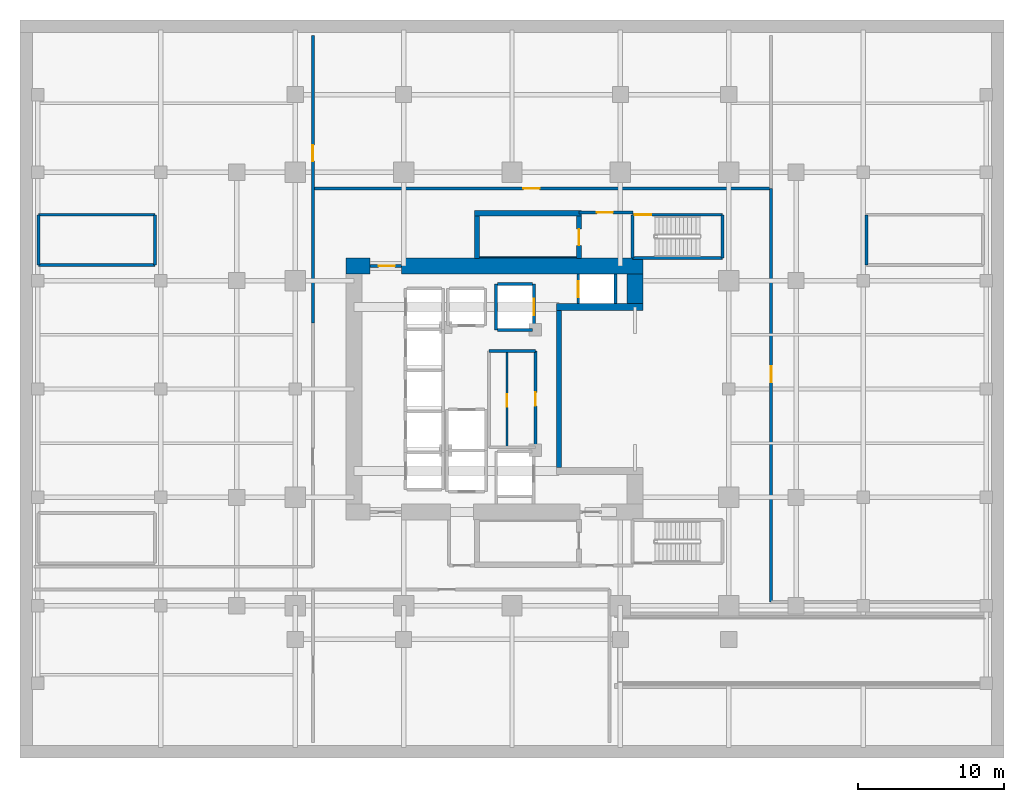
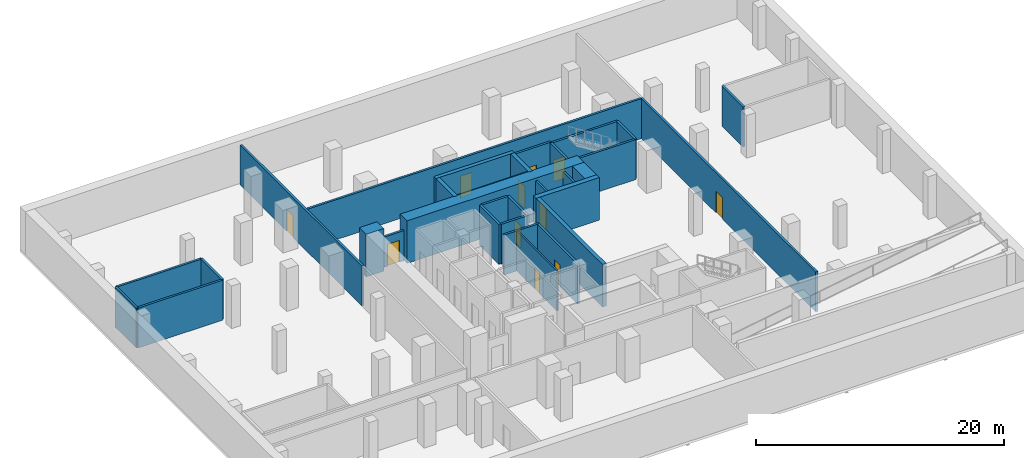
# One storey, part 5 of 7: 32 walls, 11 doors, 11 openings.
"""IFC4 building model written with IfcOpenShell, lengths in metres."""

from ifc_helpers import new_model, si_unit, direction, frame, frame_2d, origin, place, context, subcontext, project, spatial, rectangle, extrude, material, layer, layer_set, type_object, element, fill, save


model = new_model("IFC4")

# Units and contexts
model_context = context("Model", 3, precision=1e-05, world=origin(), true_north=direction((0.0, 1.0)))
body_context = subcontext(model_context, "Body", "Model", "MODEL_VIEW")
ifc_project = project(units=[si_unit("LENGTHUNIT", "METRE"), si_unit("AREAUNIT", "SQUARE_METRE"), si_unit("VOLUMEUNIT", "CUBIC_METRE"), si_unit("PLANEANGLEUNIT", "RADIAN"), si_unit("MASSUNIT", "GRAM", prefix="KILO")], contexts=[model_context])

# Site, building, storey
site_placement = place(None, origin())
site = spatial("IfcSite", under=ifc_project, at=site_placement, CompositionType="ELEMENT")
building_placement = place(site_placement, origin())
building = spatial("IfcBuilding", under=site, at=building_placement, Name="Khorvyn Point Tower", CompositionType="ELEMENT")
storey_placement = place(building_placement, frame((0.0, 0.0, -8.39990234375)))
storey = spatial("IfcBuildingStorey", under=building, at=storey_placement, Name="B2", CompositionType="ELEMENT", Elevation=-8.39990234375)

# Wall, opening, door
ifc_material_1 = material(Name="Concrete C35/45 masonry blockwork", Category="masonry")
ifc_layer_1 = layer(ifc_material_1, 0.199951171875)
ifc_layer_set_1 = layer_set([ifc_layer_1], Name="Concrete C35/45 Blockwork Plant Compartment Wall 200")
wall_type_1 = type_object("IfcWallType", Name="Concrete C35/45 Blockwork Plant Compartment Wall 200", PredefinedType="SOLIDWALL", material=ifc_layer_set_1)
wall_1_placement = place(storey_placement, frame((-13.60009765625, 4.5, 0.0), z_axis=(0.0, 0.0, 1.0), x_axis=(0.0, 1.0, 0.0)))
wall_1 = element("IfcWall", 1, at=wall_1_placement, inside=storey, type_object=wall_type_1, Name="Wall", PredefinedType="SOLIDWALL", context=body_context, shape_type="SweptSolid", body=[
    extrude(rectangle(XDim=19.64990234375, YDim=0.199951171875, at=frame_2d((9.824951171875, 0.0))), origin(), (0.0, 0.0, 1.0), 3.93994140625),
])
opening_1_placement = place(wall_1_placement, frame((11.062255859375, 0.0, 0.0)))
opening_1 = element("IfcOpeningElement", 2, at=opening_1_placement, cuts=wall_1, Name="Opening ID-FL90", PredefinedType="OPENING", context=body_context, shape_type="SweptSolid", body=[
    extrude(rectangle(XDim=1.10009765625, YDim=2.14990234375, at=frame_2d((0.550048828125, 1.074951171875))), frame((0.0, 0.10986328125, 0.0), z_axis=(0.0, -1.0, 0.0), x_axis=(1.0, 0.0, 0.0)), (0.0, 0.0, 1.0), 0.219970703125),
])
ifc_material_2 = material(Name="Galvanised powder-coated steel", Category="steel")
door_type_1 = type_object("IfcDoorType", Name="Fire-Rated Steel Lobby and Stair Door 1100x2150", OperationType="NOTDEFINED", PredefinedType="DOOR", material=ifc_material_2)
door_1_placement = place(opening_1_placement, origin())
door_1 = element("IfcDoor", 3, at=door_1_placement, inside=storey, type_object=door_type_1, Name="Door", OperationType="SINGLE_SWING_LEFT", OverallHeight=2.14990234375, OverallWidth=1.10009765625, PredefinedType="DOOR", context=body_context, shape_type="SweptSolid", body=[
    extrude(rectangle(XDim=1.10009765625, YDim=2.14990234375, at=frame_2d((0.550048828125, 1.074951171875))), frame((0.0, 0.02490234375, 0.0), z_axis=(0.0, -1.0, 0.0), x_axis=(1.0, 0.0, 0.0)), (0.0, 0.0, 1.0), 0.050048828125),
])
fill(opening_1, door_1)

wall_2_placement = place(storey_placement, frame((-13.60009765625, 13.699951171875, 0.0), z_axis=(0.0, 0.0, 1.0), x_axis=(1.0, 0.0, 0.0)))
wall_2 = element("IfcWall", 4, at=wall_2_placement, inside=storey, type_object=wall_type_1, Name="Wall", PredefinedType="SOLIDWALL", context=body_context, shape_type="SweptSolid", body=[
    extrude(rectangle(XDim=31.300048828125, YDim=0.199951171875, at=frame_2d((15.64990234375, 0.0))), origin(), (0.0, 0.0, 1.0), 3.93994140625),
])
opening_2_placement = place(wall_2_placement, frame((14.3798828125, 0.0, 0.0)))
opening_2 = element("IfcOpeningElement", 5, at=opening_2_placement, cuts=wall_2, Name="Opening ID-FL90", PredefinedType="OPENING", context=body_context, shape_type="SweptSolid", body=[
    extrude(rectangle(XDim=1.10009765625, YDim=2.14990234375, at=frame_2d((0.550048828125, 1.074951171875))), frame((0.0, 0.10986328125, 0.0), z_axis=(0.0, -1.0, 0.0), x_axis=(1.0, 0.0, 0.0)), (0.0, 0.0, 1.0), 0.219970703125),
])
door_2_placement = place(opening_2_placement, origin())
door_2 = element("IfcDoor", 6, at=door_2_placement, inside=storey, type_object=door_type_1, Name="Door", OperationType="SINGLE_SWING_RIGHT", OverallHeight=2.14990234375, OverallWidth=1.10009765625, PredefinedType="DOOR", context=body_context, shape_type="SweptSolid", body=[
    extrude(rectangle(XDim=1.10009765625, YDim=2.14990234375, at=frame_2d((0.550048828125, 1.074951171875))), frame((0.0, 0.02490234375, 0.0), z_axis=(0.0, -1.0, 0.0), x_axis=(1.0, 0.0, 0.0)), (0.0, 0.0, 1.0), 0.050048828125),
])
fill(opening_2, door_2)

wall_3_placement = place(storey_placement, frame((17.699951171875, -14.550048828125, 0.0), z_axis=(0.0, 0.0, 1.0), x_axis=(0.0, 1.0, 0.0)))
wall_3 = element("IfcWall", 7, at=wall_3_placement, inside=storey, type_object=wall_type_1, Name="Wall", PredefinedType="SOLIDWALL", context=body_context, shape_type="SweptSolid", body=[
    extrude(rectangle(XDim=28.25, YDim=0.199951171875, at=frame_2d((14.125, 0.0))), origin(), (0.0, 0.0, 1.0), 3.93994140625),
])
opening_3_placement = place(wall_3_placement, frame((15.005859375, 0.0, 0.0)))
opening_3 = element("IfcOpeningElement", 8, at=opening_3_placement, cuts=wall_3, Name="Opening ID-FL90", PredefinedType="OPENING", context=body_context, shape_type="SweptSolid", body=[
    extrude(rectangle(XDim=1.10009765625, YDim=2.14990234375, at=frame_2d((0.550048828125, 1.074951171875))), frame((0.0, 0.10986328125, 0.0), z_axis=(0.0, -1.0, 0.0), x_axis=(1.0, 0.0, 0.0)), (0.0, 0.0, 1.0), 0.219970703125),
])
door_3_placement = place(opening_3_placement, origin())
door_3 = element("IfcDoor", 9, at=door_3_placement, inside=storey, type_object=door_type_1, Name="Door", OperationType="SINGLE_SWING_LEFT", OverallHeight=2.14990234375, OverallWidth=1.10009765625, PredefinedType="DOOR", context=body_context, shape_type="SweptSolid", body=[
    extrude(rectangle(XDim=1.10009765625, YDim=2.14990234375, at=frame_2d((0.550048828125, 1.074951171875))), frame((0.0, 0.02490234375, 0.0), z_axis=(0.0, -1.0, 0.0), x_axis=(1.0, 0.0, 0.0)), (0.0, 0.0, 1.0), 0.050048828125),
])
fill(opening_3, door_3)

# Wall
ifc_material_3 = material(Name="Concrete C40/50", Category="concrete")
ifc_layer_2 = layer(ifc_material_3, 0.449951171875)
ifc_layer_set_2 = layer_set([ifc_layer_2], Name="Concrete C40/50 Core Shear Wall 450")
wall_type_2 = type_object("IfcWallType", Name="Concrete C40/50 Core Shear Wall 450", PredefinedType="SHEAR", material=ifc_layer_set_2)
wall_4_placement = place(storey_placement, frame((3.044921875, 5.60009765625, 0.0), z_axis=(0.0, 0.0, 1.0), x_axis=(1.0, 0.0, 0.0)))
element("IfcWall", 10, at=wall_4_placement, inside=storey, type_object=wall_type_2, Name="Wall", PredefinedType="SHEAR", context=body_context, shape_type="SweptSolid", body=[
    extrude(rectangle(XDim=5.905029296875, YDim=0.449951171875, at=frame_2d((2.95263671875, 0.0))), origin(), (0.0, 0.0, 1.0), 4.199951171875),
])

# Wall, opening, door
ifc_layer_3 = layer(ifc_material_3, 0.199951171875)
ifc_layer_set_3 = layer_set([ifc_layer_3], Name="Concrete C40/50 Fire-Lobby Compartment Wall 200")
wall_type_3 = type_object("IfcWallType", Name="Concrete C40/50 Fire-Lobby Compartment Wall 200", PredefinedType="SOLIDWALL", material=ifc_layer_set_3)
wall_5_placement = place(storey_placement, frame((4.580078125, 12.06005859375, 0.0), z_axis=(0.0, 0.0, 1.0), x_axis=(1.0, 0.0, 0.0)))
wall_5 = element("IfcWall", 11, at=wall_5_placement, inside=storey, type_object=wall_type_3, Name="Wall", PredefinedType="SOLIDWALL", context=body_context, shape_type="SweptSolid", body=[
    extrude(rectangle(XDim=3.699951171875, YDim=0.199951171875, at=frame_2d((1.85009765625, 0.0))), origin(), (0.0, 0.0, 1.0), 3.93994140625),
])
opening_4_placement = place(wall_5_placement, frame((1.21240234375, 0.0, 0.0)))
opening_4 = element("IfcOpeningElement", 12, at=opening_4_placement, cuts=wall_5, Name="Opening ID-FL90", PredefinedType="OPENING", context=body_context, shape_type="SweptSolid", body=[
    extrude(rectangle(XDim=1.10009765625, YDim=2.14990234375, at=frame_2d((0.550048828125, 1.074951171875))), frame((0.0, 0.10986328125, 0.0), z_axis=(0.0, -1.0, 0.0), x_axis=(1.0, 0.0, 0.0)), (0.0, 0.0, 1.0), 0.219970703125),
])
door_4_placement = place(opening_4_placement, origin())
door_4 = element("IfcDoor", 13, at=door_4_placement, inside=storey, type_object=door_type_1, Name="Door", OperationType="SINGLE_SWING_RIGHT", OverallHeight=2.14990234375, OverallWidth=1.10009765625, PredefinedType="DOOR", context=body_context, shape_type="SweptSolid", body=[
    extrude(rectangle(XDim=1.10009765625, YDim=2.14990234375, at=frame_2d((0.550048828125, 1.074951171875))), frame((0.0, 0.02490234375, 0.0), z_axis=(0.0, -1.0, 0.0), x_axis=(1.0, 0.0, 0.0)), (0.0, 0.0, 1.0), 0.050048828125),
])
fill(opening_4, door_4)

wall_6_placement = place(storey_placement, frame((-9.699951171875, 8.39990234375, 0.0), z_axis=(0.0, 0.0, 1.0), x_axis=(1.0, 0.0, 0.0)))
wall_6 = element("IfcWall", 14, at=wall_6_placement, inside=storey, type_object=wall_type_3, Name="Wall", PredefinedType="SOLIDWALL", context=body_context, shape_type="SweptSolid", body=[
    extrude(rectangle(XDim=2.14990234375, YDim=0.199951171875, at=frame_2d((1.074951171875, 0.0))), origin(), (0.0, 0.0, 1.0), 2.97998046875),
])
opening_5_placement = place(wall_6_placement, frame((0.597900390625, 0.0, 0.0)))
opening_5 = element("IfcOpeningElement", 15, at=opening_5_placement, cuts=wall_6, Name="Opening ID-FL90", PredefinedType="OPENING", context=body_context, shape_type="SweptSolid", body=[
    extrude(rectangle(XDim=1.10009765625, YDim=2.14990234375, at=frame_2d((0.550048828125, 1.074951171875))), frame((0.0, 0.10986328125, 0.0), z_axis=(0.0, -1.0, 0.0), x_axis=(1.0, 0.0, 0.0)), (0.0, 0.0, 1.0), 0.219970703125),
])
door_5_placement = place(opening_5_placement, origin())
door_5 = element("IfcDoor", 16, at=door_5_placement, inside=storey, type_object=door_type_1, Name="Door", OperationType="SINGLE_SWING_RIGHT", OverallHeight=2.14990234375, OverallWidth=1.10009765625, PredefinedType="DOOR", context=body_context, shape_type="SweptSolid", body=[
    extrude(rectangle(XDim=1.10009765625, YDim=2.14990234375, at=frame_2d((0.550048828125, 1.074951171875))), frame((0.0, 0.02490234375, 0.0), z_axis=(0.0, -1.0, 0.0), x_axis=(1.0, 0.0, 0.0)), (0.0, 0.0, 1.0), 0.050048828125),
])
fill(opening_5, door_5)

wall_7_placement = place(storey_placement, frame((1.610107421875, -3.97998046875, 0.0), z_axis=(0.0, 0.0, 1.0), x_axis=(0.0, 1.0, 0.0)))
wall_7 = element("IfcWall", 17, at=wall_7_placement, inside=storey, type_object=wall_type_3, Name="Wall", PredefinedType="SOLIDWALL", context=body_context, shape_type="SweptSolid", body=[
    extrude(rectangle(XDim=6.580078125, YDim=0.199951171875, at=frame_2d((3.2900390625, 0.0))), origin(), (0.0, 0.0, 1.0), 3.93994140625),
])
opening_6_placement = place(wall_7_placement, frame((2.830078125, 0.0, 0.0)))
opening_6 = element("IfcOpeningElement", 18, at=opening_6_placement, cuts=wall_7, Name="Opening ID-RS60", PredefinedType="OPENING", context=body_context, shape_type="SweptSolid", body=[
    extrude(rectangle(XDim=0.919921875, YDim=2.10009765625, at=frame_2d((0.4599609375, 1.050048828125))), frame((0.0, 0.10986328125, 0.0), z_axis=(0.0, -1.0, 0.0), x_axis=(1.0, 0.0, 0.0)), (0.0, 0.0, 1.0), 0.219970703125),
])
door_type_2 = type_object("IfcDoorType", Name="Fire-Rated Riser and Store Steel Door 920x2100", OperationType="NOTDEFINED", PredefinedType="DOOR", material=ifc_material_2)
door_6_placement = place(opening_6_placement, origin())
door_6 = element("IfcDoor", 19, at=door_6_placement, inside=storey, type_object=door_type_2, Name="Door", OperationType="SINGLE_SWING_LEFT", OverallHeight=2.10009765625, OverallWidth=0.919921875, PredefinedType="DOOR", context=body_context, shape_type="SweptSolid", body=[
    extrude(rectangle(XDim=0.919921875, YDim=2.10009765625, at=frame_2d((0.4599609375, 1.050048828125))), frame((0.0, 0.02490234375, 0.0), z_axis=(0.0, -1.0, 0.0), x_axis=(1.0, 0.0, 0.0)), (0.0, 0.0, 1.0), 0.050048828125),
])
fill(opening_6, door_6)

# Walls
wall_8_placement = place(storey_placement, frame((-1.580078125, 2.60009765625, 0.0), z_axis=(0.0, 0.0, 1.0), x_axis=(1.0, 0.0, 0.0)))
element("IfcWall", 20, at=wall_8_placement, inside=storey, type_object=wall_type_3, Name="Wall", PredefinedType="SOLIDWALL", context=body_context, shape_type="SweptSolid", body=[
    extrude(rectangle(XDim=3.190185546875, YDim=0.199951171875, at=frame_2d((1.59521484375, 0.0))), origin(), (0.0, 0.0, 1.0), 3.93994140625),
])
ifc_layer_4 = layer(ifc_material_3, 0.25)
ifc_layer_set_4 = layer_set([ifc_layer_4], Name="Concrete C40/50 Stair Inner Cheek Structural Wall 250")
wall_type_4 = type_object("IfcWallType", Name="Concrete C40/50 Stair Inner Cheek Structural Wall 250", PredefinedType="SHEAR", material=ifc_layer_set_4)
wall_9_placement = place(storey_placement, frame((-2.199951171875, 8.987548828125, 0.0), z_axis=(0.0, 0.0, 1.0), x_axis=(1.0, 0.0, 0.0)))
element("IfcWall", 21, at=wall_9_placement, inside=storey, type_object=wall_type_4, Name="Wall", PredefinedType="SHEAR", context=body_context, shape_type="SweptSolid", body=[
    extrude(rectangle(XDim=6.599853515625, YDim=0.074951171875, at=frame_2d((3.2998046875, 0.0))), origin(), (0.0, 0.0, 1.0), 4.199951171875),
])
ifc_layer_5 = layer(ifc_material_3, 0.35009765625)
ifc_layer_set_5 = layer_set([ifc_layer_5], Name="Concrete C40/50 Stair Shaft Structural Wall 350")
wall_type_5 = type_object("IfcWallType", Name="Concrete C40/50 Stair Shaft Structural Wall 350", PredefinedType="SHEAR", material=ifc_layer_set_5)
wall_10_placement = place(storey_placement, frame((3.219970703125, -5.375, 0.0), z_axis=(0.0, 0.0, 1.0), x_axis=(0.0, 1.0, 0.0)))
element("IfcWall", 22, at=wall_10_placement, inside=storey, type_object=wall_type_5, Name="Wall", PredefinedType="SHEAR", context=body_context, shape_type="SweptSolid", body=[
    extrude(rectangle(XDim=10.75, YDim=0.35009765625, at=frame_2d((5.375, 0.0))), origin(), (0.0, 0.0, 1.0), 4.199951171875),
])
wall_11_placement = place(storey_placement, frame((-2.554931640625, 12.0, 0.0), z_axis=(0.0, 0.0, 1.0), x_axis=(1.0, 0.0, 0.0)))
element("IfcWall", 23, at=wall_11_placement, inside=storey, type_object=wall_type_5, Name="B2 ST-02 North Shaft Wall", PredefinedType="SHEAR", context=body_context, shape_type="SweptSolid", body=[
    extrude(rectangle(XDim=7.309814453125, YDim=0.35009765625, at=frame_2d((3.65478515625, 0.0))), origin(), (0.0, 0.0, 1.0), 4.199951171875),
])
wall_12_placement = place(storey_placement, frame((-2.3798828125, 8.89990234375, 0.0), z_axis=(0.0, 0.0, 1.0), x_axis=(0.0, 1.0, 0.0)))
element("IfcWall", 24, at=wall_12_placement, inside=storey, type_object=wall_type_5, Name="B2 ST-02 West Shaft Wall", PredefinedType="SHEAR", context=body_context, shape_type="SweptSolid", body=[
    extrude(rectangle(XDim=2.925048828125, YDim=0.35009765625, at=frame_2d((1.46240234375, 0.0))), origin(), (0.0, 0.0, 1.0), 4.199951171875),
])

# Wall, opening, door
wall_13_placement = place(storey_placement, frame((4.580078125, 11.824951171875, 0.0), z_axis=(0.0, 0.0, 1.0), x_axis=(0.0, -1.0, 0.0)))
wall_13 = element("IfcWall", 25, at=wall_13_placement, inside=storey, type_object=wall_type_5, Name="B2 ST-02 East Landing Door Wall", PredefinedType="SHEAR", context=body_context, shape_type="SweptSolid", body=[
    extrude(rectangle(XDim=2.925048828125, YDim=0.35009765625, at=frame_2d((1.46240234375, 0.0))), origin(), (0.0, 0.0, 1.0), 4.199951171875),
])
opening_7_placement = place(wall_13_placement, frame((0.91259765625, 0.0, 0.0)))
opening_7 = element("IfcOpeningElement", 26, at=opening_7_placement, cuts=wall_13, Name="Opening ID-FL90", PredefinedType="OPENING", context=body_context, shape_type="SweptSolid", body=[
    extrude(rectangle(XDim=1.10009765625, YDim=2.14990234375, at=frame_2d((0.550048828125, 1.074951171875))), frame((0.0, 0.18505859375, 0.0), z_axis=(0.0, -1.0, 0.0), x_axis=(1.0, 0.0, 0.0)), (0.0, 0.0, 1.0), 0.3701171875),
])
door_7_placement = place(opening_7_placement, origin())
door_7 = element("IfcDoor", 27, at=door_7_placement, inside=storey, type_object=door_type_1, Name="B2 ST-02 Smokeproof Landing Door", OperationType="SINGLE_SWING_RIGHT", OverallHeight=2.14990234375, OverallWidth=1.10009765625, PredefinedType="DOOR", context=body_context, shape_type="SweptSolid", body=[
    extrude(rectangle(XDim=1.10009765625, YDim=2.14990234375, at=frame_2d((0.550048828125, 1.074951171875))), frame((0.0, 0.02490234375, 0.0), z_axis=(0.0, -1.0, 0.0), x_axis=(1.0, 0.0, 0.0)), (0.0, 0.0, 1.0), 0.050048828125),
])
fill(opening_7, door_7)

# Wall
ifc_layer_6 = layer(ifc_material_3, 0.199951171875)
ifc_layer_set_6 = layer_set([ifc_layer_6], Name="Concrete C40/50 Structural Hoistway and Stair Shaft Wall 200")
wall_type_6 = type_object("IfcWallType", Name="Concrete C40/50 Structural Hoistway and Stair Shaft Wall 200", PredefinedType="SHEAR", material=ifc_layer_set_6)
wall_14_placement = place(storey_placement, frame((-1.10009765625, 4.02490234375, 0.0), z_axis=(0.0, 0.0, 1.0), x_axis=(0.0, 1.0, 0.0)))
element("IfcWall", 28, at=wall_14_placement, inside=storey, type_object=wall_type_6, Name="Wall", PredefinedType="SHEAR", context=body_context, shape_type="SweptSolid", body=[
    extrude(rectangle(XDim=3.150146484375, YDim=0.199951171875, at=frame_2d((1.5751953125, 0.0))), origin(), (0.0, 0.0, 1.0), 3.93994140625),
])

# Wall, opening, door
wall_15_placement = place(storey_placement, frame((1.5, 4.02490234375, 0.0), z_axis=(0.0, 0.0, 1.0), x_axis=(0.0, 1.0, 0.0)))
wall_15 = element("IfcWall", 29, at=wall_15_placement, inside=storey, type_object=wall_type_6, Name="Wall", PredefinedType="SHEAR", context=body_context, shape_type="SweptSolid", body=[
    extrude(rectangle(XDim=3.150146484375, YDim=0.199951171875, at=frame_2d((1.5751953125, 0.0))), origin(), (0.0, 0.0, 1.0), 3.93994140625),
])
opening_8_placement = place(wall_15_placement, frame((1.02490234375, 0.0, 0.0)))
opening_8 = element("IfcOpeningElement", 30, at=opening_8_placement, cuts=wall_15, Name="Opening LD-1122", PredefinedType="OPENING", context=body_context, shape_type="SweptSolid", body=[
    extrude(rectangle(XDim=1.10009765625, YDim=2.199951171875, at=frame_2d((0.550048828125, 1.10009765625))), frame((0.0, 0.10986328125, 0.0), z_axis=(0.0, -1.0, 0.0), x_axis=(1.0, 0.0, 0.0)), (0.0, 0.0, 1.0), 0.219970703125),
])
ifc_material_4 = material(Name="Stainless steel 1.4301", Category="steel")
door_type_3 = type_object("IfcDoorType", Name="Stainless Steel Automatic Sliding Lift Landing Door 1100x2200", OperationType="SLIDING_TO_LEFT", PredefinedType="DOOR", material=ifc_material_4)
door_8_placement = place(opening_8_placement, origin())
door_8 = element("IfcDoor", 31, at=door_8_placement, inside=storey, type_object=door_type_3, Name="B2 SV-01 Sliding Lift Landing Door", OperationType="SLIDING_TO_LEFT", OverallHeight=2.199951171875, OverallWidth=1.10009765625, PredefinedType="DOOR", context=body_context, shape_type="SweptSolid", body=[
    extrude(rectangle(XDim=1.10009765625, YDim=2.199951171875, at=frame_2d((0.550048828125, 1.10009765625))), frame((0.0, 0.02490234375, 0.0), z_axis=(0.0, -1.0, 0.0), x_axis=(1.0, 0.0, 0.0)), (0.0, 0.0, 1.0), 0.050048828125),
])
fill(opening_8, door_8)

# Walls
for number, where, z_axis, x_axis, name in (
    (32, (-1.0, 4.02490234375, 0.0), (0.0, 0.0, 1.0), (1.0, 0.0, 0.0), "Wall"),
    (33, (-1.0, 7.175048828125, 0.0), (0.0, 0.0, 1.0), (1.0, 0.0, 0.0), "Wall"),
):
    element("IfcWall", number, at=place(storey_placement, frame(where, z_axis=z_axis, x_axis=x_axis)), inside=storey, type_object=wall_type_6, Name=name, PredefinedType="SHEAR", context=body_context, shape_type="SweptSolid", body=[
        extrude(rectangle(XDim=2.39990234375, YDim=0.199951171875, at=frame_2d((1.199951171875, 0.0))), origin(), (0.0, 0.0, 1.0), 3.93994140625),
    ])

# Wall, opening, door
wall_16_placement = place(storey_placement, frame((4.52490234375, 5.824951171875, 0.0), z_axis=(0.0, 0.0, 1.0), x_axis=(0.0, 1.0, 0.0)))
wall_16 = element("IfcWall", 34, at=wall_16_placement, inside=storey, type_object=wall_type_6, Name="Wall", PredefinedType="SHEAR", context=body_context, shape_type="SweptSolid", body=[
    extrude(rectangle(XDim=2.025146484375, YDim=0.199951171875, at=frame_2d((1.0126953125, 0.0))), origin(), (0.0, 0.0, 1.0), 3.93994140625),
])
opening_9_placement = place(wall_16_placement, frame((0.425048828125, 0.0, 0.0)))
opening_9 = element("IfcOpeningElement", 35, at=opening_9_placement, cuts=wall_16, Name="Opening LD-1122", PredefinedType="OPENING", context=body_context, shape_type="SweptSolid", body=[
    extrude(rectangle(XDim=1.10009765625, YDim=2.199951171875, at=frame_2d((0.550048828125, 1.10009765625))), frame((0.0, 0.10986328125, 0.0), z_axis=(0.0, -1.0, 0.0), x_axis=(1.0, 0.0, 0.0)), (0.0, 0.0, 1.0), 0.219970703125),
])
door_9_placement = place(opening_9_placement, origin())
door_9 = element("IfcDoor", 36, at=door_9_placement, inside=storey, type_object=door_type_3, Name="B2 FF-02 Sliding Lift Landing Door", OperationType="SLIDING_TO_LEFT", OverallHeight=2.199951171875, OverallWidth=1.10009765625, PredefinedType="DOOR", context=body_context, shape_type="SweptSolid", body=[
    extrude(rectangle(XDim=1.10009765625, YDim=2.199951171875, at=frame_2d((0.550048828125, 1.10009765625))), frame((0.0, 0.02490234375, 0.0), z_axis=(0.0, -1.0, 0.0), x_axis=(1.0, 0.0, 0.0)), (0.0, 0.0, 1.0), 0.050048828125),
])
fill(opening_9, door_9)

# Walls
wall_17_placement = place(storey_placement, frame((7.074951171875, 5.824951171875, 0.0), z_axis=(0.0, 0.0, 1.0), x_axis=(0.0, 1.0, 0.0)))
element("IfcWall", 37, at=wall_17_placement, inside=storey, type_object=wall_type_6, Name="Wall", PredefinedType="SHEAR", context=body_context, shape_type="SweptSolid", body=[
    extrude(rectangle(XDim=2.025146484375, YDim=0.199951171875, at=frame_2d((1.0126953125, 0.0))), origin(), (0.0, 0.0, 1.0), 3.93994140625),
])
for number, where, z_axis, x_axis, name in (
    (38, (8.219970703125, 8.93994140625, 0.0), (0.0, 0.0, 1.0), (0.0, 1.0, 0.0), "Wall"),
    (39, (14.3798828125, 11.89990234375, 0.0), (0.0, 0.0, 1.0), (0.0, -1.0, 0.0), "Wall"),
):
    element("IfcWall", number, at=place(storey_placement, frame(where, z_axis=z_axis, x_axis=x_axis)), inside=storey, type_object=wall_type_6, Name=name, PredefinedType="SHEAR", context=body_context, shape_type="SweptSolid", body=[
        extrude(rectangle(XDim=2.9599609375, YDim=0.199951171875, at=frame_2d((1.47998046875, 0.0))), origin(), (0.0, 0.0, 1.0), 3.93994140625),
    ])
wall_18_placement = place(storey_placement, frame((14.3798828125, 8.93994140625, 0.0), z_axis=(0.0, 0.0, 1.0), x_axis=(-1.0, 0.0, 0.0)))
element("IfcWall", 40, at=wall_18_placement, inside=storey, type_object=wall_type_6, Name="Wall", PredefinedType="SHEAR", context=body_context, shape_type="SweptSolid", body=[
    extrude(rectangle(XDim=6.159912109375, YDim=0.199951171875, at=frame_2d((3.080078125, 0.0))), origin(), (0.0, 0.0, 1.0), 3.93994140625),
])

# Wall, opening, door
wall_19_placement = place(storey_placement, frame((8.219970703125, 11.89990234375, 0.0), z_axis=(0.0, 0.0, 1.0), x_axis=(1.0, 0.0, 0.0)))
wall_19 = element("IfcWall", 41, at=wall_19_placement, inside=storey, type_object=wall_type_6, Name="Wall", PredefinedType="SHEAR", context=body_context, shape_type="SweptSolid", body=[
    extrude(rectangle(XDim=6.159912109375, YDim=0.199951171875, at=frame_2d((3.080078125, 0.0))), origin(), (0.0, 0.0, 1.0), 3.93994140625),
])
opening_10_placement = place(wall_19_placement, frame((0.179931640625, 0.0, 0.0)))
opening_10 = element("IfcOpeningElement", 42, at=opening_10_placement, cuts=wall_19, Name="Opening ID-FL90", PredefinedType="OPENING", context=body_context, shape_type="SweptSolid", body=[
    extrude(rectangle(XDim=1.10009765625, YDim=2.14990234375, at=frame_2d((0.550048828125, 1.074951171875))), frame((0.0, 0.10986328125, 0.0), z_axis=(0.0, -1.0, 0.0), x_axis=(1.0, 0.0, 0.0)), (0.0, 0.0, 1.0), 0.219970703125),
])
door_10_placement = place(opening_10_placement, origin())
door_10 = element("IfcDoor", 43, at=door_10_placement, inside=storey, type_object=door_type_1, Name="B2 ST-B2 Smokeproof Landing Door", OperationType="SINGLE_SWING_RIGHT", OverallHeight=2.14990234375, OverallWidth=1.10009765625, PredefinedType="DOOR", context=body_context, shape_type="SweptSolid", body=[
    extrude(rectangle(XDim=1.10009765625, YDim=2.14990234375, at=frame_2d((0.550048828125, 1.074951171875))), frame((0.0, 0.02490234375, 0.0), z_axis=(0.0, -1.0, 0.0), x_axis=(1.0, 0.0, 0.0)), (0.0, 0.0, 1.0), 0.050048828125),
])
fill(opening_10, door_10)

# Walls
for number, where, z_axis, x_axis, name in (
    (44, (-32.330078125, 8.47998046875, 0.0), (0.0, 0.0, 1.0), (0.0, 1.0, 0.0), "Wall"),
    (45, (-24.3701171875, 11.89990234375, 0.0), (0.0, 0.0, 1.0), (0.0, -1.0, 0.0), "Wall"),
):
    element("IfcWall", number, at=place(storey_placement, frame(where, z_axis=z_axis, x_axis=x_axis)), inside=storey, type_object=wall_type_6, Name=name, PredefinedType="SHEAR", context=body_context, shape_type="SweptSolid", body=[
        extrude(rectangle(XDim=3.419921875, YDim=0.199951171875, at=frame_2d((1.7099609375, 0.0))), origin(), (0.0, 0.0, 1.0), 3.93994140625),
    ])
for number, where, z_axis, x_axis, name in (
    (46, (-24.3701171875, 8.47998046875, 0.0), (0.0, 0.0, 1.0), (-1.0, 0.0, 0.0), "Wall"),
    (47, (-32.330078125, 11.89990234375, 0.0), (0.0, 0.0, 1.0), (1.0, 0.0, 0.0), "Wall"),
):
    element("IfcWall", number, at=place(storey_placement, frame(where, z_axis=z_axis, x_axis=x_axis)), inside=storey, type_object=wall_type_6, Name=name, PredefinedType="SHEAR", context=body_context, shape_type="SweptSolid", body=[
        extrude(rectangle(XDim=7.9599609375, YDim=0.199951171875, at=frame_2d((3.97998046875, 0.0))), origin(), (0.0, 0.0, 1.0), 3.93994140625),
    ])
wall_20_placement = place(storey_placement, frame((24.219970703125, 8.47998046875, 0.0), z_axis=(0.0, 0.0, 1.0), x_axis=(0.0, 1.0, 0.0)))
element("IfcWall", 48, at=wall_20_placement, inside=storey, type_object=wall_type_6, Name="Wall", PredefinedType="SHEAR", context=body_context, shape_type="SweptSolid", body=[
    extrude(rectangle(XDim=3.419921875, YDim=0.199951171875, at=frame_2d((1.7099609375, 0.0))), origin(), (0.0, 0.0, 1.0), 3.93994140625),
])
ifc_material_5 = material(Name="Concrete C50/60", Category="concrete")
ifc_layer_7 = layer(ifc_material_5, 1.10009765625)
ifc_layer_set_7 = layer_set([ifc_layer_7], Name="Concrete C50/60 Core Shear Wall 1100")
wall_type_7 = type_object("IfcWallType", Name="Concrete C50/60 Core Shear Wall 1100", PredefinedType="SHEAR", material=ifc_layer_set_7)
wall_21_placement = place(storey_placement, frame((-11.35009765625, 8.39990234375, 0.0), z_axis=(0.0, 0.0, 1.0), x_axis=(1.0, 0.0, 0.0)))
element("IfcWall", 49, at=wall_21_placement, inside=storey, type_object=wall_type_7, Name="Wall", PredefinedType="SHEAR", context=body_context, shape_type="SweptSolid", body=[
    extrude(rectangle(XDim=1.650146484375, YDim=1.10009765625, at=frame_2d((0.8251953125, 0.0))), origin(), (0.0, 0.0, 1.0), 4.199951171875),
])
wall_22_placement = place(storey_placement, frame((-7.550048828125, 8.39990234375, 0.0), z_axis=(0.0, 0.0, 1.0), x_axis=(1.0, 0.0, 0.0)))
element("IfcWall", 50, at=wall_22_placement, inside=storey, type_object=wall_type_7, Name="Wall", PredefinedType="SHEAR", context=body_context, shape_type="SweptSolid", body=[
    extrude(rectangle(XDim=16.5, YDim=1.10009765625, at=frame_2d((8.25, 0.0))), origin(), (0.0, 0.0, 1.0), 4.199951171875),
])
wall_23_placement = place(storey_placement, frame((8.39990234375, 5.824951171875, 0.0), z_axis=(0.0, 0.0, 1.0), x_axis=(0.0, 1.0, 0.0)))
element("IfcWall", 51, at=wall_23_placement, inside=storey, type_object=wall_type_7, Name="Wall", PredefinedType="SHEAR", context=body_context, shape_type="SweptSolid", body=[
    extrude(rectangle(XDim=2.025146484375, YDim=1.10009765625, at=frame_2d((1.0126953125, 0.0))), origin(), (0.0, 0.0, 1.0), 4.199951171875),
])

# Wall, opening, door
ifc_material_6 = material(Name="Moisture-resistant gypsum and cement board", Category="gypsum")
ifc_layer_8 = layer(ifc_material_6, 0.14990234375)
ifc_layer_set_8 = layer_set([ifc_layer_8], Name="Moisture-Resistant Wet-Room Partition Wall 150")
wall_type_8 = type_object("IfcWallType", Name="Moisture-Resistant Wet-Room Partition Wall 150", PredefinedType="PARTITIONING", material=ifc_layer_set_8)
wall_24_placement = place(storey_placement, frame((-0.35009765625, -3.97998046875, 0.0), z_axis=(0.0, 0.0, 1.0), x_axis=(0.0, 1.0, 0.0)))
wall_24 = element("IfcWall", 52, at=wall_24_placement, inside=storey, type_object=wall_type_8, Name="Wall", PredefinedType="PARTITIONING", context=body_context, shape_type="SweptSolid", body=[
    extrude(rectangle(XDim=6.580078125, YDim=0.14990234375, at=frame_2d((3.2900390625, 0.0))), origin(), (0.0, 0.0, 1.0), 3.93994140625),
])
opening_11_placement = place(wall_24_placement, frame((2.777587890625, 0.0, 0.0)))
opening_11 = element("IfcOpeningElement", 53, at=opening_11_placement, cuts=wall_24, Name="Opening ID-WC85", PredefinedType="OPENING", context=body_context, shape_type="SweptSolid", body=[
    extrude(rectangle(XDim=0.85009765625, YDim=2.10009765625, at=frame_2d((0.425048828125, 1.050048828125))), frame((0.0, 0.0849609375, 0.0), z_axis=(0.0, -1.0, 0.0), x_axis=(1.0, 0.0, 0.0)), (0.0, 0.0, 1.0), 0.169921875),
])
ifc_material_7 = material(Name="High-pressure laminate on moisture-resistant core", Category="wood")
door_type_4 = type_object("IfcDoorType", Name="Moisture-Resistant Accessible Washroom Door 850x2100", OperationType="NOTDEFINED", PredefinedType="DOOR", material=ifc_material_7)
door_11_placement = place(opening_11_placement, origin())
door_11 = element("IfcDoor", 54, at=door_11_placement, inside=storey, type_object=door_type_4, Name="Door", OperationType="SINGLE_SWING_RIGHT", OverallHeight=2.10009765625, OverallWidth=0.85009765625, PredefinedType="DOOR", context=body_context, shape_type="SweptSolid", body=[
    extrude(rectangle(XDim=0.85009765625, YDim=2.10009765625, at=frame_2d((0.425048828125, 1.050048828125))), frame((0.0, 0.02490234375, 0.0), z_axis=(0.0, -1.0, 0.0), x_axis=(1.0, 0.0, 0.0)), (0.0, 0.0, 1.0), 0.050048828125),
])
fill(opening_11, door_11)

save(model, "model.ifc")
